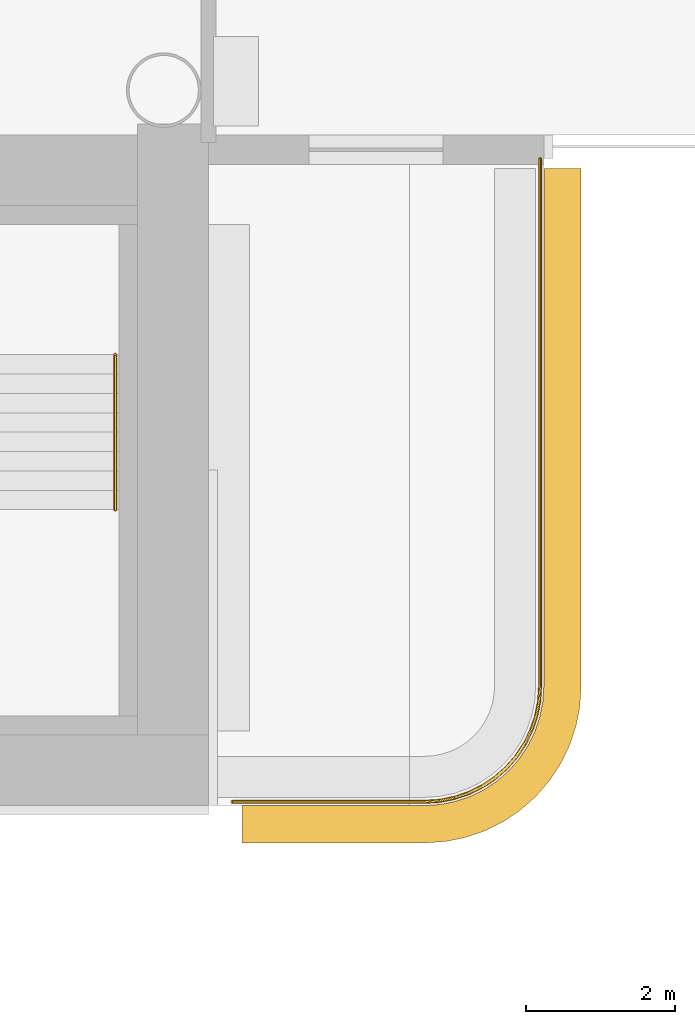
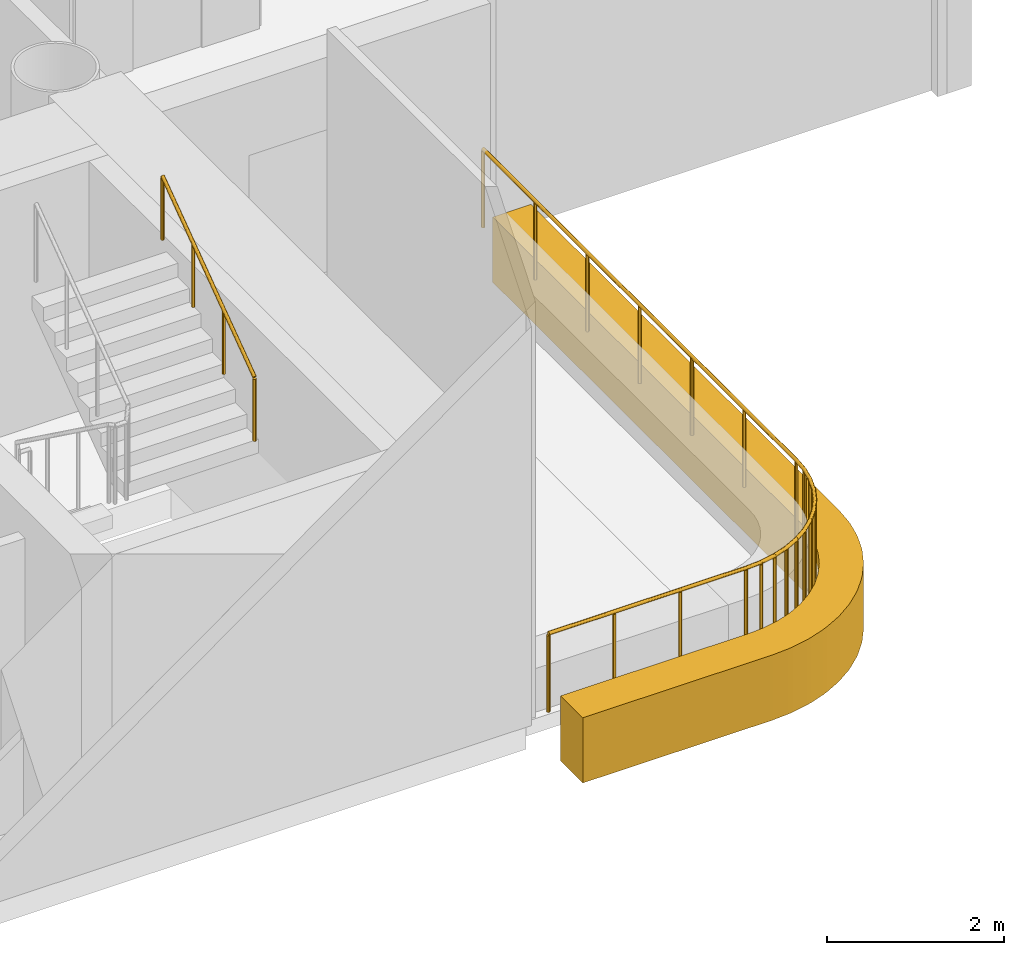
# One storey, part 21 of 22: 2 railings, 1 covering.
"""IFC4 building model written with IfcOpenShell, lengths in metres."""

from ifc_helpers import new_model, si_unit, direction, frame, origin, origin_2d, place, context, subcontext, project, spatial, polyline, circle, outline, extrude, material, layer, layer_set, type_object, element, save


model = new_model("IFC4")

# Units and contexts
model_context = context("Model", 3, precision=1e-05, world=origin(), true_north=direction((0.0, 1.0)))
body_context = subcontext(model_context, "Body", "Model", "MODEL_VIEW")
ifc_project = project(units=[si_unit("LENGTHUNIT", "METRE"), si_unit("AREAUNIT", "SQUARE_METRE"), si_unit("VOLUMEUNIT", "CUBIC_METRE"), si_unit("PLANEANGLEUNIT", "RADIAN"), si_unit("MASSUNIT", "GRAM", prefix="KILO")], contexts=[model_context])

# Site, building, storey
site_placement = place(None, origin())
site = spatial("IfcSite", under=ifc_project, at=site_placement, CompositionType="ELEMENT")
building_placement = place(site_placement, origin())
building = spatial("IfcBuilding", under=site, at=building_placement, Name="Ipe Terrace Towers", CompositionType="ELEMENT")
storey_placement = place(building_placement, frame((0.0, 0.0, 90.199951171875)))
storey = spatial("IfcBuildingStorey", under=building, at=storey_placement, Name="L24", CompositionType="ELEMENT", Elevation=90.199951171875)

# Railing
ifc_material_1 = material(Name="Stainless steel S316", Category="steel")
railing_type_1 = type_object("IfcRailingType", Name="GUARD 1100", PredefinedType="BALUSTRADE", material=ifc_material_1)
railing_1_placement = place(storey_placement, frame((43.070068359375, -15.699951171875, -0.02001953125)))
element("IfcRailing", 1, at=railing_1_placement, inside=storey, type_object=railing_type_1, Name="guard", PredefinedType="BALUSTRADE", context=body_context, shape_type="SweptSolid", body=[
    extrude(circle(Radius=0.02392578125, at=origin_2d()), frame((0.0, 0.0, 1.076171875), z_axis=(1.0, 0.0, 0.0), x_axis=(0.0, 1.0, 0.0)), (0.0, 0.0, 1.0), 2.577880859375),
    extrude(circle(Radius=0.02392578125, at=origin_2d()), frame((2.577880859375, 0.0, 1.076171875), z_axis=(0.997996439513, 0.063270109204, 0.0), x_axis=(-0.063270109204, 0.997996439513, 0.0)), (0.0, 0.0, 1.0), 0.20458984375),
    extrude(circle(Radius=0.02392578125, at=origin_2d()), frame((2.781982421875, 0.012939453125, 1.076171875), z_axis=(0.980348670139, 0.197272615832, 0.0), x_axis=(-0.197272615832, 0.980348670139, 0.0)), (0.0, 0.0, 1.0), 0.202880859375),
    extrude(circle(Radius=0.02392578125, at=origin_2d()), frame((2.98095703125, 0.052978515625, 1.076171875), z_axis=(0.947227229435, 0.320562904618, 0.0), x_axis=(-0.320562904618, 0.947227229435, 0.0)), (0.0, 0.0, 1.0), 0.20263671875),
    extrude(circle(Radius=0.02392578125, at=origin_2d()), frame((3.1728515625, 0.117919921875, 1.076171875), z_axis=(0.896341374877, 0.443364567466, 0.0), x_axis=(-0.443364567466, 0.896341374877, 0.0)), (0.0, 0.0, 1.0), 0.203125),
    extrude(circle(Radius=0.02392578125, at=origin_2d()), frame((3.35498046875, 0.2080078125, 1.076171875), z_axis=(0.833344910936, 0.552753344103, 0.0), x_axis=(-0.552753344103, 0.833344910936, 0.0)), (0.0, 0.0, 1.0), 0.20263671875),
    extrude(circle(Radius=0.02392578125, at=origin_2d()), frame((3.52392578125, 0.320068359375, 1.076171875), z_axis=(0.750856952854, 0.660464863827, 0.0), x_axis=(-0.660464863827, 0.750856952854, 0.0)), (0.0, 0.0, 1.0), 0.20263671875),
    extrude(circle(Radius=0.02392578125, at=origin_2d()), frame((3.676025390625, 0.453857421875, 1.076171875), z_axis=(0.660464863827, 0.750856952854, 0.0), x_axis=(-0.750856952854, 0.660464863827, 0.0)), (0.0, 0.0, 1.0), 0.20263671875),
    extrude(circle(Radius=0.02392578125, at=origin_2d()), frame((3.809814453125, 0.60595703125, 1.076171875), z_axis=(0.552753344103, 0.833344910936, 0.0), x_axis=(-0.833344910936, 0.552753344103, 0.0)), (0.0, 0.0, 1.0), 0.20263671875),
    extrude(circle(Radius=0.02392578125, at=origin_2d()), frame((3.921875, 0.77490234375, 1.076171875), z_axis=(0.443364567466, 0.896341374877, 0.0), x_axis=(-0.896341374877, 0.443364567466, 0.0)), (0.0, 0.0, 1.0), 0.203125),
    extrude(circle(Radius=0.02392578125, at=origin_2d()), frame((4.011962890625, 0.95703125, 1.076171875), z_axis=(0.320562904618, 0.947227229435, 0.0), x_axis=(-0.947227229435, 0.320562904618, 0.0)), (0.0, 0.0, 1.0), 0.20263671875),
    extrude(circle(Radius=0.02392578125, at=origin_2d()), frame((4.076904296875, 1.14892578125, 1.076171875), z_axis=(0.197272615832, 0.980348670139, 0.0), x_axis=(-0.980348670139, 0.197272615832, 0.0)), (0.0, 0.0, 1.0), 0.202880859375),
    extrude(circle(Radius=0.02392578125, at=origin_2d()), frame((4.116943359375, 1.347900390625, 1.076171875), z_axis=(0.063270109204, 0.997996439513, 0.0), x_axis=(-0.997996439513, 0.063270109204, 0.0)), (0.0, 0.0, 1.0), 0.20458984375),
    extrude(circle(Radius=0.02392578125, at=origin_2d()), frame((4.1298828125, 1.552001953125, 1.076171875), z_axis=(0.0, 1.0, 0.0), x_axis=(-1.0, 0.0, 0.0)), (0.0, 0.0, 1.0), 7.077880859375),
    extrude(circle(Radius=0.02099609375, at=origin_2d()), origin(), (0.0, 0.0, 1.0), 1.052001953125),
    extrude(circle(Radius=0.02099609375, at=origin_2d()), frame((0.859375, 0.0, 0.0)), (0.0, 0.0, 1.0), 1.052001953125),
    extrude(circle(Radius=0.02099609375, at=origin_2d()), frame((1.718505859375, 0.0, 0.0)), (0.0, 0.0, 1.0), 1.052001953125),
    extrude(circle(Radius=0.02099609375, at=origin_2d()), frame((2.577880859375, 0.0, 0.0)), (0.0, 0.0, 1.0), 1.052001953125),
    extrude(circle(Radius=0.02099609375, at=origin_2d()), frame((2.781982421875, 0.012939453125, 0.0)), (0.0, 0.0, 1.0), 1.052001953125),
    extrude(circle(Radius=0.02099609375, at=origin_2d()), frame((2.98095703125, 0.052978515625, 0.0)), (0.0, 0.0, 1.0), 1.052001953125),
    extrude(circle(Radius=0.02099609375, at=origin_2d()), frame((3.1728515625, 0.117919921875, 0.0)), (0.0, 0.0, 1.0), 1.052001953125),
    extrude(circle(Radius=0.02099609375, at=origin_2d()), frame((3.35498046875, 0.2080078125, 0.0)), (0.0, 0.0, 1.0), 1.052001953125),
    extrude(circle(Radius=0.02099609375, at=origin_2d()), frame((3.52392578125, 0.320068359375, 0.0)), (0.0, 0.0, 1.0), 1.052001953125),
    extrude(circle(Radius=0.02099609375, at=origin_2d()), frame((3.676025390625, 0.453857421875, 0.0)), (0.0, 0.0, 1.0), 1.052001953125),
    extrude(circle(Radius=0.02099609375, at=origin_2d()), frame((3.809814453125, 0.60595703125, 0.0)), (0.0, 0.0, 1.0), 1.052001953125),
    extrude(circle(Radius=0.02099609375, at=origin_2d()), frame((3.921875, 0.77490234375, 0.0)), (0.0, 0.0, 1.0), 1.052001953125),
    extrude(circle(Radius=0.02099609375, at=origin_2d()), frame((4.011962890625, 0.95703125, 0.0)), (0.0, 0.0, 1.0), 1.052001953125),
    extrude(circle(Radius=0.02099609375, at=origin_2d()), frame((4.076904296875, 1.14892578125, 0.0)), (0.0, 0.0, 1.0), 1.052001953125),
    extrude(circle(Radius=0.02099609375, at=origin_2d()), frame((4.116943359375, 1.347900390625, 0.0)), (0.0, 0.0, 1.0), 1.052001953125),
    extrude(circle(Radius=0.02099609375, at=origin_2d()), frame((4.1298828125, 1.552001953125, 0.0)), (0.0, 0.0, 1.0), 1.052001953125),
    extrude(circle(Radius=0.02099609375, at=origin_2d()), frame((4.1298828125, 2.731689453125, 0.0)), (0.0, 0.0, 1.0), 1.052001953125),
    extrude(circle(Radius=0.02099609375, at=origin_2d()), frame((4.1298828125, 3.911376953125, 0.0)), (0.0, 0.0, 1.0), 1.052001953125),
    extrude(circle(Radius=0.02099609375, at=origin_2d()), frame((4.1298828125, 5.0908203125, 0.0)), (0.0, 0.0, 1.0), 1.052001953125),
    extrude(circle(Radius=0.02099609375, at=origin_2d()), frame((4.1298828125, 6.2705078125, 0.0)), (0.0, 0.0, 1.0), 1.052001953125),
    extrude(circle(Radius=0.02099609375, at=origin_2d()), frame((4.1298828125, 7.4501953125, 0.0)), (0.0, 0.0, 1.0), 1.052001953125),
    extrude(circle(Radius=0.02099609375, at=origin_2d()), frame((4.1298828125, 8.6298828125, 0.0)), (0.0, 0.0, 1.0), 1.052001953125),
])

# Covering
ifc_material_2 = material(Name="Concrete C50/60 precast, buff finish", Category="concrete")
ifc_layer = layer(ifc_material_2, 0.5)
ifc_layer_set = layer_set([ifc_layer], Name="STONE EDGE BAND 500 x 900")
covering_type = type_object("IfcCoveringType", Name="STONE EDGE BAND 500 x 900", PredefinedType="CLADDING", material=ifc_layer_set)
covering_placement = place(storey_placement, frame((0.0, 0.0, -0.719970703125)))
element("IfcCovering", 2, at=covering_placement, inside=storey, type_object=covering_type, Name="stone edge band", PredefinedType="CLADDING", context=body_context, shape_type="SweptSolid", body=[
    extrude(outline(polyline([(47.75, -14.14990234375), (47.75, -7.199951171875), (47.25, -7.199951171875), (47.25, -14.14990234375), (47.236083984375, -14.35888671875), (47.195068359375, -14.56396484375), (47.1279296875, -14.761962890625), (47.035888671875, -14.949951171875), (46.9189453125, -15.1240234375), (46.781005859375, -15.281005859375), (46.6240234375, -15.4189453125), (46.449951171875, -15.535888671875), (46.261962890625, -15.6279296875), (46.06396484375, -15.695068359375), (45.85888671875, -15.736083984375), (45.64990234375, -15.75), (43.199951171875, -15.75), (43.199951171875, -16.25), (45.64990234375, -16.25), (45.68310546875, -16.2490234375), (45.89208984375, -16.235107421875), (45.9560546875, -16.22705078125), (46.162109375, -16.18603515625), (46.22509765625, -16.1689453125), (46.423095703125, -16.10205078125), (46.48291015625, -16.076904296875), (46.6708984375, -15.98388671875), (46.72802734375, -15.950927734375), (46.902099609375, -15.8349609375), (46.9541015625, -15.794921875), (47.111083984375, -15.656982421875), (47.156982421875, -15.611083984375), (47.294921875, -15.4541015625), (47.3349609375, -15.402099609375), (47.450927734375, -15.22802734375), (47.48388671875, -15.1708984375), (47.576904296875, -14.98291015625), (47.60205078125, -14.923095703125), (47.6689453125, -14.72509765625), (47.68603515625, -14.662109375), (47.72705078125, -14.4560546875), (47.735107421875, -14.39208984375), (47.7490234375, -14.18310546875), (47.75, -14.14990234375)])), origin(), (0.0, 0.0, 1.0), 0.89990234375),
])

# Railing
ifc_material_3 = material(Name="Stainless steel grade 304", Category="steel")
railing_type_2 = type_object("IfcRailingType", Name="Stair handrail 900", PredefinedType="HANDRAIL", material=ifc_material_3)
railing_2_placement = place(storey_placement, frame((41.5, -11.780029296875, 1.888916015625)))
element("IfcRailing", 3, at=railing_2_placement, inside=storey, type_object=railing_type_2, Name="L24 T2-ST2 stair handrail 2", PredefinedType="HANDRAIL", context=body_context, shape_type="SweptSolid", body=[
    extrude(circle(Radius=0.02392578125, at=origin_2d()), frame((0.0, 0.0, 0.8759765625), z_axis=(0.0, 0.809023421508, 0.587776406001), x_axis=(-1.0, 0.0, 0.0)), (0.0, 0.0, 1.0), 2.571044921875),
    extrude(circle(Radius=0.02099609375, at=origin_2d()), origin(), (0.0, 0.0, 1.0), 0.851806640625),
    extrude(circle(Radius=0.02099609375, at=origin_2d()), frame((0.0, 0.693359375, 0.503662109375)), (0.0, 0.0, 1.0), 0.851806640625),
    extrude(circle(Radius=0.02099609375, at=origin_2d()), frame((0.0, 1.38671875, 1.007568359375)), (0.0, 0.0, 1.0), 0.851806640625),
    extrude(circle(Radius=0.02099609375, at=origin_2d()), frame((0.0, 2.080078125, 1.51123046875)), (0.0, 0.0, 1.0), 0.851806640625),
])

save(model, "model.ifc")
